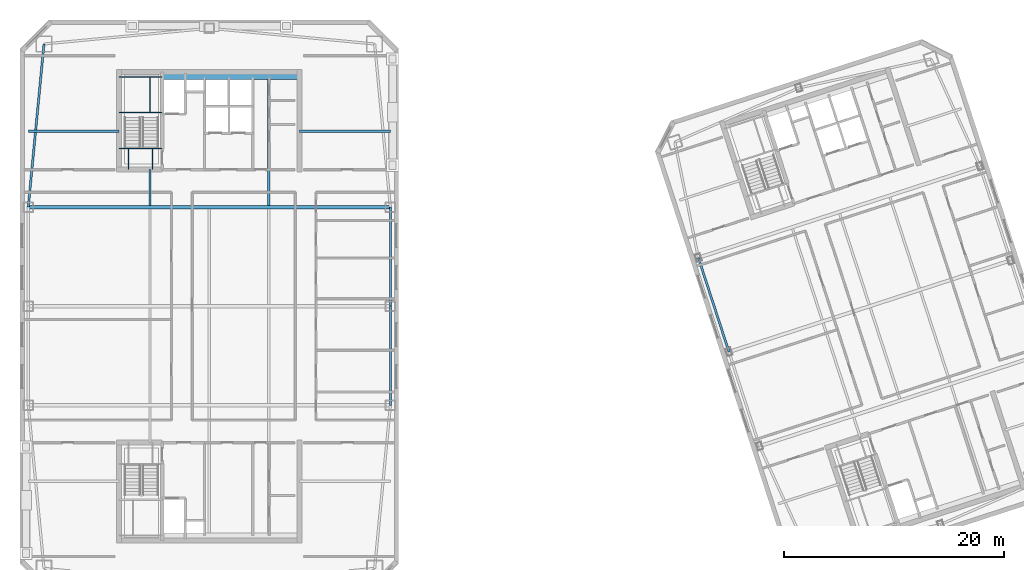
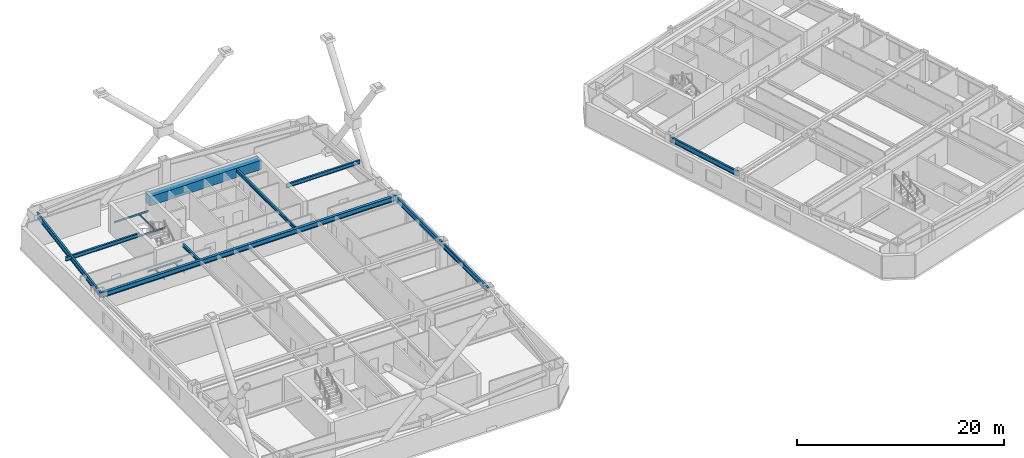
# One storey, part 7 of 25: 16 beams.
"""IFC4 building model written with IfcOpenShell, lengths in metres."""

from ifc_helpers import new_model, si_unit, direction, frame, origin, origin_2d, place, context, subcontext, project, spatial, rectangle, i_section, extrude, material, material_profile, profile_set, type_object, element, save


model = new_model("IFC4")

# Units and contexts
model_context = context("Model", 3, precision=1e-05, world=origin(), true_north=direction((0.0, 1.0)))
body_context = subcontext(model_context, "Body", "Model", "MODEL_VIEW")
ifc_project = project(units=[si_unit("LENGTHUNIT", "METRE"), si_unit("AREAUNIT", "SQUARE_METRE"), si_unit("VOLUMEUNIT", "CUBIC_METRE"), si_unit("PLANEANGLEUNIT", "RADIAN"), si_unit("MASSUNIT", "GRAM", prefix="KILO")], contexts=[model_context])

# Site, building, storey
site_placement = place(None, origin())
site = spatial("IfcSite", under=ifc_project, at=site_placement, CompositionType="ELEMENT")
building_placement = place(site_placement, origin())
building = spatial("IfcBuilding", under=site, at=building_placement, Name="Qiaolan Cultural Towers", CompositionType="ELEMENT")
storey_placement = place(building_placement, frame((0.0, 0.0, 202.39990234375)))
storey = spatial("IfcBuildingStorey", under=building, at=storey_placement, Name="L54", CompositionType="ELEMENT", Elevation=202.39990234375)

# Beams
ifc_material_1 = material(Name="Steel Q355B", Category="steel")
ifc_material_profile_1 = material_profile(ifc_material_1, i_section(OverallWidth=0.300048828125, OverallDepth=0.587890625, WebThickness=0.011962890625, FlangeThickness=0.02001953125, at=origin_2d()), Name="HM588x300x12x20")
ifc_profile_set_1 = profile_set([ifc_material_profile_1], Name="Steel Q355B")
beam_type_1 = type_object("IfcBeamType", Name="BM-HM588x300x12x20", PredefinedType="BEAM", material=ifc_profile_set_1)
beam_1_placement = place(storey_placement, frame((13.550048828125, 43.0, 2.89599609375), z_axis=(1.0, 0.0, 0.0), x_axis=(0.0, 1.0, 0.0)))
element("IfcBeam", 1, at=beam_1_placement, inside=storey, type_object=beam_type_1, Name="L54 T1 Primary Transverse Girder V3", PredefinedType="BEAM", context=body_context, shape_type="SweptSolid", body=[
    extrude(i_section(OverallWidth=0.300048828125, OverallDepth=0.587890625, WebThickness=0.011962890625, FlangeThickness=0.02001953125, at=origin_2d()), origin(), (0.0, 0.0, 1.0), 32.89990234375),
])
ifc_material_2 = material(Name="Steel Q355B", Category="steel")
ifc_material_profile_2 = material_profile(ifc_material_2, i_section(OverallWidth=0.199951171875, OverallDepth=0.39990234375, WebThickness=0.008056640625, FlangeThickness=0.012939453125, at=origin_2d()), Name="HN400x200x8x13")
ifc_profile_set_2 = profile_set([ifc_material_profile_2], Name="Steel Q355B")
beam_type_2 = type_object("IfcBeamType", Name="BM-JST-HN400x200x8x13", PredefinedType="JOIST", material=ifc_profile_set_2)
beam_2_placement = place(storey_placement, frame((24.60009765625, 43.14990234375, 2.989990234375), z_axis=(0.0, 1.0, 0.0), x_axis=(-1.0, 0.0, 0.0)))
element("IfcBeam", 2, at=beam_2_placement, inside=storey, type_object=beam_type_2, Name="L54 T1 Secondary Floor Joist U1-4", PredefinedType="JOIST", context=body_context, shape_type="SweptSolid", body=[
    extrude(i_section(OverallWidth=0.199951171875, OverallDepth=0.39990234375, WebThickness=0.008056640625, FlangeThickness=0.012939453125, at=origin_2d()), origin(), (0.0, 0.0, 1.0), 3.25),
])
beam_3_placement = place(storey_placement, frame((35.39990234375, 43.14990234375, 2.989990234375), z_axis=(0.0, 1.0, 0.0), x_axis=(-1.0, 0.0, 0.0)))
element("IfcBeam", 3, at=beam_3_placement, inside=storey, type_object=beam_type_2, Name="L54 T1 Secondary Floor Joist U3-4", PredefinedType="JOIST", context=body_context, shape_type="SweptSolid", body=[
    extrude(i_section(OverallWidth=0.199951171875, OverallDepth=0.39990234375, WebThickness=0.008056640625, FlangeThickness=0.012939453125, at=origin_2d()), origin(), (0.0, 0.0, 1.0), 11.4501953125),
])
ifc_material_3 = material(Name="Steel Q355B", Category="steel")
ifc_material_profile_3 = material_profile(ifc_material_3, i_section(OverallWidth=0.199951171875, OverallDepth=0.449951171875, WebThickness=0.009033203125, FlangeThickness=0.013916015625, at=origin_2d()), Name="HN450x200x9x14")
ifc_profile_set_3 = profile_set([ifc_material_profile_3], Name="Steel Q355B")
beam_type_3 = type_object("IfcBeamType", Name="BM-LNT-HN450x200x9x14", PredefinedType="LINTEL", material=ifc_profile_set_3)
for number, where, z_axis, x_axis, name in (
    (4, (21.800048828125, 49.89990234375, 2.965087890625), (-1.0, 0.0, 0.0), (0.0, -1.0, 0.0), "L54 T1 Core Flank Tie Lintel WN"),
    (5, (38.199951171875, 49.89990234375, 2.965087890625), (1.0, 0.0, 0.0), (0.0, 1.0, 0.0), "L54 T1 Core Flank Tie Lintel EN"),
):
    element("IfcBeam", number, at=place(storey_placement, frame(where, z_axis=z_axis, x_axis=x_axis)), inside=storey, type_object=beam_type_3, Name=name, PredefinedType="LINTEL", context=body_context, shape_type="SweptSolid", body=[
        extrude(i_section(OverallWidth=0.199951171875, OverallDepth=0.449951171875, WebThickness=0.009033203125, FlangeThickness=0.013916015625, at=origin_2d()), origin(), (0.0, 0.0, 1.0), 8.25),
    ])
ifc_material_4 = material(Name="Concrete C50", Category="concrete")
ifc_material_profile_4 = material_profile(ifc_material_4, rectangle(XDim=0.89990234375, YDim=1.10009765625, at=origin_2d()), Name="RC900x1100")
ifc_profile_set_4 = profile_set([ifc_material_profile_4], Name="Concrete C50")
beam_type_4 = type_object("IfcBeamType", Name="BM-RC900x1100", PredefinedType="BEAM", material=ifc_profile_set_4)
beam_4_placement = place(storey_placement, frame((25.719970703125, 55.050048828125, 2.64013671875), z_axis=(1.0, 0.0, 0.0), x_axis=(0.0, 1.0, 0.0)))
element("IfcBeam", 6, at=beam_4_placement, inside=storey, type_object=beam_type_4, Name="L54 T1 Core Header Girder N", PredefinedType="BEAM", context=body_context, shape_type="SweptSolid", body=[
    extrude(rectangle(XDim=0.89990234375, YDim=1.10009765625, at=origin_2d()), origin(), (0.0, 0.0, 1.0), 12.47998046875),
])
ifc_material_5 = material(Name="Steel Q355B", Category="steel")
ifc_material_profile_5 = material_profile(ifc_material_5, i_section(OverallWidth=0.199951171875, OverallDepth=0.60009765625, WebThickness=0.010986328125, FlangeThickness=0.01708984375, at=origin_2d()), Name="HN600x200x11x17")
ifc_profile_set_5 = profile_set([ifc_material_profile_5], Name="Steel Q355B")
beam_type_5 = type_object("IfcBeamType", Name="BM-SPD-HN600x200x11x17", PredefinedType="SPANDREL", material=ifc_profile_set_5)
for number, where, z_axis, x_axis, name in (
    (7, (46.449951171875, 25.0, 2.89013671875), (0.0, 1.0, 0.0), (-1.0, 0.0, 0.0), "L54 T1 Perimeter Spandrel Beam 4"),
    (8, (46.449951171875, 34.0, 2.89013671875), (0.0, 1.0, 0.0), (-1.0, 0.0, 0.0), "L54 T1 Perimeter Spandrel Beam 5"),
):
    element("IfcBeam", number, at=place(storey_placement, frame(where, z_axis=z_axis, x_axis=x_axis)), inside=storey, type_object=beam_type_5, Name=name, PredefinedType="SPANDREL", context=body_context, shape_type="SweptSolid", body=[
        extrude(i_section(OverallWidth=0.199951171875, OverallDepth=0.60009765625, WebThickness=0.010986328125, FlangeThickness=0.01708984375, at=origin_2d()), origin(), (0.0, 0.0, 1.0), 9.0),
    ])
beam_5_placement = place(storey_placement, frame((14.97998046875, 57.820068359375, 2.89013671875), z_axis=(-0.096040159186, -0.995377459974, 0.0), x_axis=(0.995377459974, -0.096040159186, 0.0)))
element("IfcBeam", 9, at=beam_5_placement, inside=storey, type_object=beam_type_5, Name="L54 T1 Perimeter Spandrel Beam 9", PredefinedType="SPANDREL", context=body_context, shape_type="SweptSolid", body=[
    extrude(i_section(OverallWidth=0.199951171875, OverallDepth=0.60009765625, WebThickness=0.010986328125, FlangeThickness=0.01708984375, at=origin_2d()), origin(), (0.0, 0.0, 1.0), 14.888916015625),
])
beam_6_placement = place(storey_placement, frame((74.42724609375, 38.4033203125, 2.89013671875), z_axis=(0.309000197986, -0.951061973609, 0.0), x_axis=(0.951061973609, 0.309000197986, 0.0)))
element("IfcBeam", 10, at=beam_6_placement, inside=storey, type_object=beam_type_5, Name="L54 T2 Perimeter Spandrel Beam 10", PredefinedType="SPANDREL", context=body_context, shape_type="SweptSolid", body=[
    extrude(i_section(OverallWidth=0.199951171875, OverallDepth=0.60009765625, WebThickness=0.010986328125, FlangeThickness=0.01708984375, at=origin_2d()), origin(), (0.0, 0.0, 1.0), 9.0),
])
ifc_material_6 = material(Name="Steel Q355B", Category="steel")
ifc_material_profile_6 = material_profile(ifc_material_6, i_section(OverallWidth=0.10009765625, OverallDepth=0.199951171875, WebThickness=0.005615234375, FlangeThickness=0.008056640625, at=origin_2d()), Name="HN200x100x5.5x8")
ifc_profile_set_6 = profile_set([ifc_material_profile_6], Name="Steel Q355B")
beam_type_6 = type_object("IfcBeamType", Name="BM-STTRIM-200", PredefinedType="BEAM", material=ifc_profile_set_6)
beam_7_placement = place(storey_placement, frame((21.800048828125, 48.340087890625, -0.4599609375), z_axis=(1.0, 0.0, 0.0), x_axis=(0.0, 1.0, 0.0)))
element("IfcBeam", 11, at=beam_7_placement, inside=storey, type_object=beam_type_6, Name="L54 ST-W2 Floor Landing Header Beam", PredefinedType="BEAM", context=body_context, shape_type="SweptSolid", body=[
    extrude(i_section(OverallWidth=0.10009765625, OverallDepth=0.199951171875, WebThickness=0.005615234375, FlangeThickness=0.008056640625, at=origin_2d()), origin(), (0.0, 0.0, 1.0), 3.919921875),
])
for number, where, z_axis, x_axis, name in (
    (12, (22.64990234375, 46.39990234375, -0.4599609375), (0.0, 1.0, 0.0), (-1.0, 0.0, 0.0), "L54 ST-W2 Floor Landing Stringer 1"),
    (13, (24.85009765625, 46.39990234375, -0.4599609375), (0.0, 1.0, 0.0), (-1.0, 0.0, 0.0), "L54 ST-W2 Floor Landing Stringer 2"),
):
    element("IfcBeam", number, at=place(storey_placement, frame(where, z_axis=z_axis, x_axis=x_axis)), inside=storey, type_object=beam_type_6, Name=name, PredefinedType="BEAM", context=body_context, shape_type="SweptSolid", body=[
        extrude(i_section(OverallWidth=0.10009765625, OverallDepth=0.199951171875, WebThickness=0.005615234375, FlangeThickness=0.008056640625, at=origin_2d()), origin(), (0.0, 0.0, 1.0), 1.940185546875),
    ])
for number, where, z_axis, x_axis, name in (
    (14, (21.800048828125, 51.588623046875, 1.425048828125), (1.0, 0.0, 0.0), (0.0, 1.0, 0.0), "L54 ST-W2 Stair Landing Support Beam 1-1"),
    (15, (21.800048828125, 54.820068359375, 1.425048828125), (1.0, 0.0, 0.0), (0.0, 1.0, 0.0), "L54 ST-W2 Stair Landing Support Beam 1-2"),
):
    element("IfcBeam", number, at=place(storey_placement, frame(where, z_axis=z_axis, x_axis=x_axis)), inside=storey, type_object=beam_type_6, Name=name, PredefinedType="BEAM", context=body_context, shape_type="SweptSolid", body=[
        extrude(i_section(OverallWidth=0.10009765625, OverallDepth=0.199951171875, WebThickness=0.005615234375, FlangeThickness=0.008056640625, at=origin_2d()), origin(), (0.0, 0.0, 1.0), 3.919921875),
    ])
beam_8_placement = place(storey_placement, frame((24.610107421875, 51.588623046875, 1.425048828125), z_axis=(0.0, 1.0, 0.0), x_axis=(-1.0, 0.0, 0.0)))
element("IfcBeam", 16, at=beam_8_placement, inside=storey, type_object=beam_type_6, Name="L54 ST-W2 Stair Landing Trimmer 1", PredefinedType="BEAM", context=body_context, shape_type="SweptSolid", body=[
    extrude(i_section(OverallWidth=0.10009765625, OverallDepth=0.199951171875, WebThickness=0.005615234375, FlangeThickness=0.008056640625, at=origin_2d()), origin(), (0.0, 0.0, 1.0), 3.2314453125),
])

save(model, "model.ifc")
